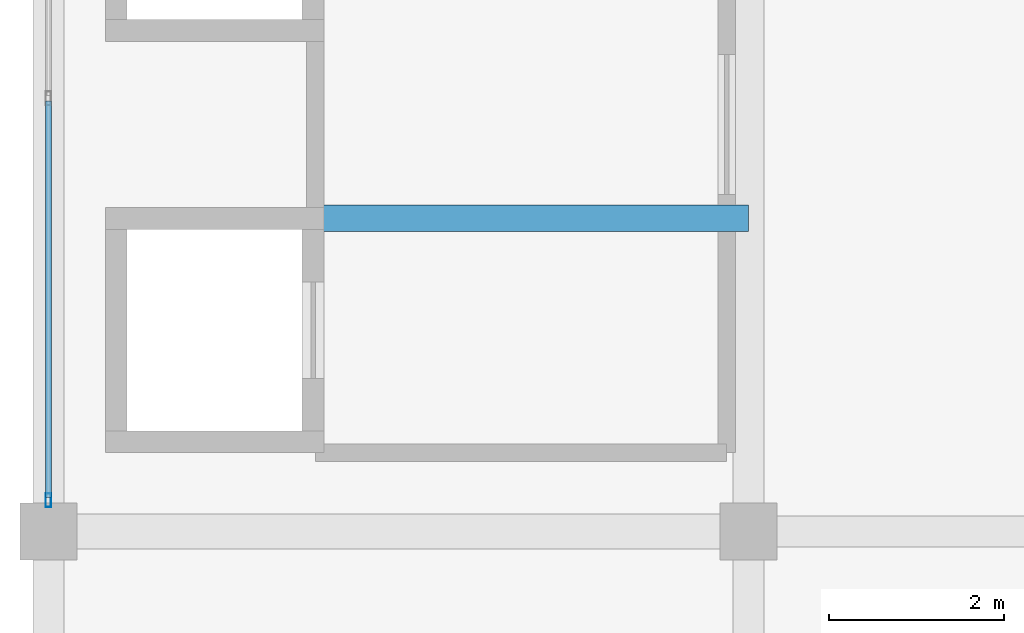
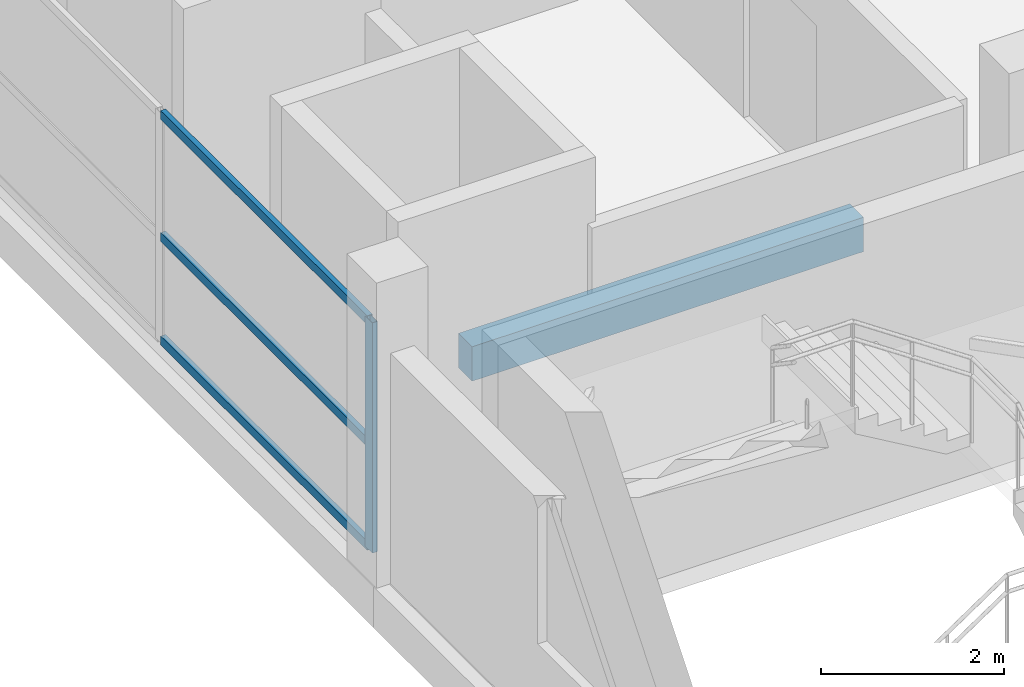
# One storey, part 6 of 70: 4 members, 1 beam, 1 element without a shape of its own.
"""IFC4 building model written with IfcOpenShell, lengths in metres."""

import ifcopenshell
import ifcopenshell.guid

model = None  # the IFC model being written
_history = None  # IfcOwnerHistory: only IFC2X3 demands one
_inside = {}  # id of a spatial element -> (the spatial element, [elements in it])
_under = {}  # id of a project, library or spatial element -> (it, [spatial elements below it])
_declared = {}  # id of a project -> (the project, [libraries it declares])
_typed = {}  # id of a type object -> (the type object, [elements of that type])
_made_of = {}  # id of a material, layer set ... -> (it, [elements and type objects made of it])


def new_model(schema):
    """Start an empty IFC model of exactly this schema.

    Asked for "IFC4X3", IfcOpenShell would pick the latest addendum, in which some entities
    have other attributes; the version numbers below select the first issue.
    IFC2X3 requires an IfcOwnerHistory on every rooted entity: one is made here for all.
    """
    global model, _history
    if schema == "IFC4X3":
        model = ifcopenshell.file(schema_version=(4, 3, 0, 0))
    else:
        model = ifcopenshell.file(schema=schema)
    _inside.clear()
    _under.clear()
    _declared.clear()
    _typed.clear()
    _made_of.clear()
    _history = None
    if model.schema == "IFC2X3":
        org = make("IfcOrganization", Name="unknown")
        user = make(
            "IfcPersonAndOrganization",
            ThePerson=make("IfcPerson", FamilyName="unknown"),
            TheOrganization=org,
        )
        app = make(
            "IfcApplication",
            ApplicationDeveloper=org,
            Version="unknown",
            ApplicationFullName="unknown",
            ApplicationIdentifier="unknown",
        )
        _history = make(
            "IfcOwnerHistory",
            OwningUser=user,
            OwningApplication=app,
            ChangeAction="ADDED",
            CreationDate=0,
        )
    return model


def make(cls, **values):
    """One entity of the class cls with the attributes given. An attribute that is None is left unset."""
    return model.create_entity(
        cls, **{name: value for name, value in values.items() if value is not None}
    )


def rooted(cls, **values):
    """An entity with a GlobalId (a new one), such as an element, a storey or a relation."""
    return make(cls, GlobalId=ifcopenshell.guid.new(), OwnerHistory=_history, **values)


def si_unit(unit_type, name, prefix=None):
    """IfcSIUnit, for example si_unit("LENGTHUNIT", "METRE", prefix="MILLI")."""
    return make("IfcSIUnit", UnitType=unit_type, Prefix=prefix, Name=name)


def assignment(units):
    """IfcUnitAssignment: the units of a project."""
    return None if units is None else make("IfcUnitAssignment", Units=units)


def point(xyz):
    """IfcCartesianPoint."""
    return None if xyz is None else make("IfcCartesianPoint", Coordinates=xyz)


def direction(xyz):
    """IfcDirection."""
    return None if xyz is None else make("IfcDirection", DirectionRatios=xyz)


def frame(location, z_axis=None, x_axis=None):
    """IfcAxis2Placement3D, a coordinate frame: its origin and axes. An axis left out is left unset."""
    return make(
        "IfcAxis2Placement3D",
        Location=point(location),
        Axis=direction(z_axis),
        RefDirection=direction(x_axis),
    )


def frame_2d(location, x_axis=None):
    """IfcAxis2Placement2D, a coordinate frame in the plane: its origin and x axis."""
    return make(
        "IfcAxis2Placement2D", Location=point(location), RefDirection=direction(x_axis)
    )


def origin():
    """The frame at (0, 0, 0) with its axes left unset."""
    return frame((0.0, 0.0, 0.0))


def origin_2d():
    """The frame at (0, 0) in the plane with its x axis left unset."""
    return frame_2d((0.0, 0.0))


def place(relative_to, where):
    """IfcLocalPlacement: puts the frame where relative to a parent placement (None: the world)."""
    return make(
        "IfcLocalPlacement", PlacementRelTo=relative_to, RelativePlacement=where
    )


def context(
    kind, dimensions, precision=None, world=None, true_north=None, identifier=None
):
    """IfcGeometricRepresentationContext, for example the 3D "Model" context."""
    return make(
        "IfcGeometricRepresentationContext",
        ContextIdentifier=identifier,
        ContextType=kind,
        CoordinateSpaceDimension=dimensions,
        Precision=precision,
        WorldCoordinateSystem=world,
        TrueNorth=true_north,
    )


def subcontext(parent, identifier, kind, view, scale=None):
    """IfcGeometricRepresentationSubContext, for example "Body" below "Model"."""
    return make(
        "IfcGeometricRepresentationSubContext",
        ContextIdentifier=identifier,
        ContextType=kind,
        ParentContext=parent,
        TargetScale=scale,
        TargetView=view,
    )


def project(units=None, contexts=None):
    """IfcProject with its units and contexts."""
    return rooted(
        "IfcProject",
        Name="project",
        RepresentationContexts=contexts,
        UnitsInContext=assignment(units),
    )


def spatial(cls, under=None, at=None, **own):
    """A site, building, storey or space (cls), placed at a placement, below another one or the project."""
    s = rooted(cls, ObjectPlacement=at, **own)
    if under is not None:
        _under.setdefault(under.id(), (under, []))[1].append(s)
    return s


def profile(cls, at=None, kind="AREA", **sizes):
    """A parametric profile (cls). Its sizes go by their IFC names, for example OverallWidth=200.0."""
    return make(cls, ProfileType=kind, Position=at, **sizes)


def rectangle(**sizes):
    """IfcRectangleProfileDef."""
    return profile("IfcRectangleProfileDef", **sizes)


def hollow_rectangle(**sizes):
    """IfcRectangleHollowProfileDef."""
    return profile("IfcRectangleHollowProfileDef", **sizes)


def extrude(swept, where, along, depth):
    """IfcExtrudedAreaSolid: the profile swept, set in the frame where, extruded along a direction by depth."""
    return make(
        "IfcExtrudedAreaSolid",
        SweptArea=swept,
        Position=where,
        ExtrudedDirection=direction(along),
        Depth=depth,
    )


def shape(context_of_items, identifier, shape_type, items):
    """IfcShapeRepresentation: the items that make up one representation, for example the "Body"."""
    return make(
        "IfcShapeRepresentation",
        ContextOfItems=context_of_items,
        RepresentationIdentifier=identifier,
        RepresentationType=shape_type,
        Items=items,
    )


def material(Name=None, Category=None):
    """IfcMaterial."""
    return make("IfcMaterial", Name=Name, Category=Category)


def layer(
    of_material, thickness, ventilated=None, Name=None, Category=None, Priority=None
):
    """IfcMaterialLayer: one layer of a wall or slab, of a material (None: an air gap)."""
    return make(
        "IfcMaterialLayer",
        Material=of_material,
        LayerThickness=thickness,
        IsVentilated=ventilated,
        Name=Name,
        Category=Category,
        Priority=Priority,
    )


def layer_set(layers, Name=None):
    """IfcMaterialLayerSet."""
    return make("IfcMaterialLayerSet", MaterialLayers=layers, LayerSetName=Name)


def material_profile(
    of_material, cross_section, Name=None, Category=None, Priority=None
):
    """IfcMaterialProfile: a cross section and its material."""
    return make(
        "IfcMaterialProfile",
        Name=Name,
        Material=of_material,
        Profile=cross_section,
        Priority=Priority,
        Category=Category,
    )


def profile_set(profiles, Name=None, composite=None):
    """IfcMaterialProfileSet."""
    return make(
        "IfcMaterialProfileSet",
        Name=Name,
        MaterialProfiles=profiles,
        CompositeProfile=composite,
    )


def made_of(thing, what):
    """Note that an element or type object is made of a material, layer set ...; save() writes the relation."""
    if what is not None:
        _made_of.setdefault(what.id(), (what, []))[1].append(thing)
    return thing


def type_object(cls, material=None, **own):
    """A type object (cls), such as IfcWallType, which elements share."""
    return made_of(rooted(cls, **own), material)


def element(
    cls,
    number,
    at=None,
    inside=None,
    cuts=None,
    type_object=None,
    material=None,
    context=None,
    identifier="Body",
    shape_type=None,
    held_by="IfcProductDefinitionShape",
    body=None,
    shapes=None,
    **own,
):
    """One element of the class cls, such as IfcWall. Its Tag is "e" and its number.

    at: its placement. inside: the storey or other place that contains it. cuts: it is an
    opening in that element (IfcRelVoidsElement). A single representation is given by context,
    identifier, shape_type and body (its items); several are given by shapes. held_by: the class
    of the entity that holds the representations. save() writes the other relations.
    """
    e = rooted(cls, Tag="e%d" % number, ObjectPlacement=at, **own)
    if body is not None:
        shapes = [shape(context, identifier, shape_type, body)]
    if shapes is not None:
        e.Representation = make(held_by, Representations=shapes)
    if inside is not None:
        _inside.setdefault(inside.id(), (inside, []))[1].append(e)
    if cuts is not None:
        rooted(
            "IfcRelVoidsElement", RelatingBuildingElement=cuts, RelatedOpeningElement=e
        )
    if type_object is not None:
        _typed.setdefault(type_object.id(), (type_object, []))[1].append(e)
    return made_of(e, material)


def aggregate(whole, parts):
    """IfcRelAggregates: a whole, such as a stair, and the parts it consists of."""
    return rooted("IfcRelAggregates", RelatingObject=whole, RelatedObjects=parts)


def save(model, path):
    """Write the relations noted so far, then the file.

    IfcRelAggregates (storeys below a building ...), IfcRelContainedInSpatialStructure (elements
    in a storey), IfcRelDefinesByType, IfcRelAssociatesMaterial and IfcRelDeclares: one each for
    every whole, place, type object, material and project.
    """
    for whole, parts in _under.values():
        aggregate(whole, parts)
    for where, things in _inside.values():
        rooted(
            "IfcRelContainedInSpatialStructure",
            RelatedElements=things,
            RelatingStructure=where,
        )
    for kind, things in _typed.values():
        rooted("IfcRelDefinesByType", RelatedObjects=things, RelatingType=kind)
    for what, things in _made_of.values():
        rooted("IfcRelAssociatesMaterial", RelatedObjects=things, RelatingMaterial=what)
    for by, libraries in _declared.values():
        rooted("IfcRelDeclares", RelatingContext=by, RelatedDefinitions=libraries)
    model.write(path)


model = new_model("IFC4")

# Units and contexts
model_context = context("Model", 3, precision=1e-05, world=origin(), true_north=direction((0.0, 1.0)))
body_context = subcontext(model_context, "Body", "Model", "MODEL_VIEW")
ifc_project = project(units=[si_unit("LENGTHUNIT", "METRE"), si_unit("AREAUNIT", "SQUARE_METRE"), si_unit("VOLUMEUNIT", "CUBIC_METRE"), si_unit("PLANEANGLEUNIT", "RADIAN"), si_unit("MASSUNIT", "GRAM", prefix="KILO")], contexts=[model_context])

# Site, building, storey
site_placement = place(None, origin())
site = spatial("IfcSite", under=ifc_project, at=site_placement, CompositionType="ELEMENT")
building_placement = place(site_placement, origin())
building = spatial("IfcBuilding", under=site, at=building_placement, Name="Sillaruma Civic Art Gallery", CompositionType="ELEMENT")
storey_placement = place(building_placement, frame((0.0, 0.0, 66.300048828125)))
storey = spatial("IfcBuildingStorey", under=building, at=storey_placement, Name="L13", CompositionType="ELEMENT", Elevation=66.300048828125)

# Beam
ifc_material_1 = material(Name="Concrete H35 (35 MPa)", Category="concrete")
ifc_material_profile_1 = material_profile(ifc_material_1, rectangle(XDim=0.300048828125, YDim=0.4599609375, at=origin_2d()), Name="RCB300x460")
ifc_profile_set_1 = profile_set([ifc_material_profile_1], Name="Concrete H35 (35 MPa)")
beam_type = type_object("IfcBeamType", Name="BM-LINTEL-RCB300x460", PredefinedType="LINTEL", material=ifc_profile_set_1)
beam_placement = place(storey_placement, frame((65.050048828125, 43.179931640625, -0.4599609375), z_axis=(1.0, 0.0, 0.0), x_axis=(0.0, 1.0, 0.0)))
element("IfcBeam", 1, at=beam_placement, inside=storey, type_object=beam_type, Name="Core Portal Coupling Lintel BL-01 (L12:PL1)", PredefinedType="LINTEL", context=body_context, shape_type="SweptSolid", body=[
    extrude(rectangle(XDim=0.300048828125, YDim=0.4599609375, at=origin_2d()), origin(), (0.0, 0.0, 1.0), 4.949951171875),
])

# Curtain wall, members
ifc_material_2 = material(Name="Thermally Broken Extruded Aluminium 6063-T6", Category="aluminium")
ifc_layer = layer(ifc_material_2, 0.159912109375, Name="Thermally Broken Extruded Aluminium 6063-T6")
ifc_layer_set = layer_set([ifc_layer], Name="Thermally Broken Extruded Aluminium 6063-T6")
curtain_wall_type = type_object("IfcCurtainWallType", Name="CW-UNI-91", PredefinedType="NOTDEFINED", material=ifc_layer_set)
curtain_wall_placement = place(storey_placement, origin())
curtain_wall = element("IfcCurtainWall", 2, at=curtain_wall_placement, inside=storey, type_object=curtain_wall_type, Name="Unitised Curtain Wall CW-91 (CW-L13-WBW-3)", PredefinedType="NOTDEFINED")
ifc_material_profile_2 = material_profile(ifc_material_2, hollow_rectangle(XDim=0.06494140625, YDim=0.159912109375, WallThickness=0.00390625, at=origin_2d()), Name="CWM65x160")
ifc_profile_set_2 = profile_set([ifc_material_profile_2], Name="Thermally Broken Extruded Aluminium 6063-T6")
member_type_1 = type_object("IfcMemberType", Name="MEM-MUL-CWM65x160", PredefinedType="MULLION", material=ifc_profile_set_2)
member_1_placement = place(storey_placement, frame((62.0, 39.95751953125, 0.0), z_axis=(0.0, 0.0, 1.0), x_axis=(-1.0, 0.0, 0.0)))
member_1 = element("IfcMember", 3, at=member_1_placement, type_object=member_type_1, Name="CW-91 mullion 1", PredefinedType="MULLION", context=body_context, shape_type="SweptSolid", body=[
    extrude(hollow_rectangle(XDim=0.06494140625, YDim=0.159912109375, WallThickness=0.00390625, at=origin_2d()), origin(), (0.0, 0.0, 1.0), 3.079833984375),
])
ifc_material_profile_3 = material_profile(ifc_material_2, hollow_rectangle(XDim=0.06494140625, YDim=0.1201171875, WallThickness=0.00341796875, at=origin_2d()), Name="CWT65x120")
ifc_profile_set_3 = profile_set([ifc_material_profile_3], Name="Thermally Broken Extruded Aluminium 6063-T6")
member_type_2 = type_object("IfcMemberType", Name="MEM-TRN-CWT65x120", PredefinedType="USERDEFINED", material=ifc_profile_set_3)
member_2_placement = place(storey_placement, frame((62.0, 39.989990234375, 0.032470703125), z_axis=(0.0, 1.0, 0.0), x_axis=(-1.0, 0.0, 0.0)))
member_2 = element("IfcMember", 4, at=member_2_placement, type_object=member_type_2, Name="CW-91 transom 1.1", ObjectType="TRANSOM", PredefinedType="USERDEFINED", context=body_context, shape_type="SweptSolid", body=[
    extrude(hollow_rectangle(XDim=0.06494140625, YDim=0.1201171875, WallThickness=0.00341796875, at=origin_2d()), origin(), (0.0, 0.0, 1.0), 4.527587890625),
])
member_3_placement = place(storey_placement, frame((62.0, 39.989990234375, 1.416748046875), z_axis=(0.0, 1.0, 0.0), x_axis=(-1.0, 0.0, 0.0)))
member_3 = element("IfcMember", 5, at=member_3_placement, type_object=member_type_2, Name="CW-91 transom 1.2", ObjectType="TRANSOM", PredefinedType="USERDEFINED", context=body_context, shape_type="SweptSolid", body=[
    extrude(hollow_rectangle(XDim=0.06494140625, YDim=0.1201171875, WallThickness=0.00341796875, at=origin_2d()), origin(), (0.0, 0.0, 1.0), 4.527587890625),
])
member_4_placement = place(storey_placement, frame((62.0, 39.989990234375, 3.04736328125), z_axis=(0.0, 1.0, 0.0), x_axis=(-1.0, 0.0, 0.0)))
member_4 = element("IfcMember", 6, at=member_4_placement, type_object=member_type_2, Name="CW-91 transom 1.3", ObjectType="TRANSOM", PredefinedType="USERDEFINED", context=body_context, shape_type="SweptSolid", body=[
    extrude(hollow_rectangle(XDim=0.06494140625, YDim=0.1201171875, WallThickness=0.00341796875, at=origin_2d()), origin(), (0.0, 0.0, 1.0), 4.527587890625),
])
aggregate(curtain_wall, [member_1, member_2, member_3, member_4])

save(model, "model.ifc")
